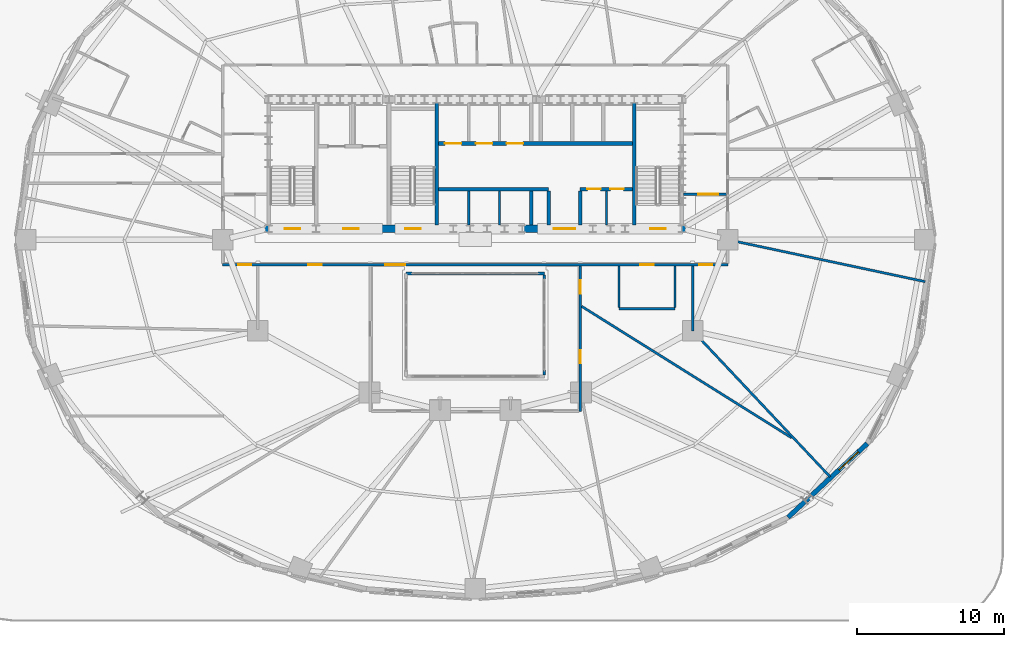
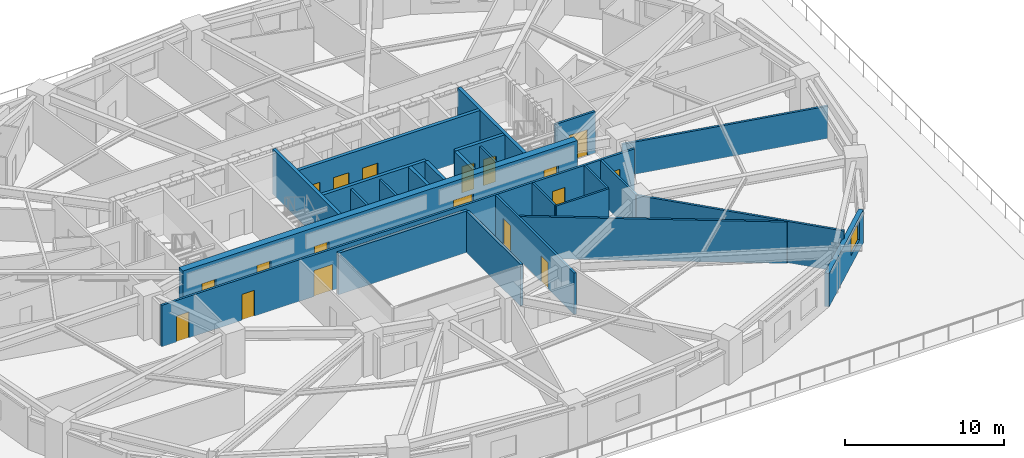
# One storey, part 9 of 18: 25 walls, 18 doors, 1 window, 19 openings.
"""IFC4 building model written with IfcOpenShell, lengths in metres."""

from ifc_helpers import new_model, si_unit, direction, frame, frame_2d, origin, place, context, subcontext, project, spatial, rectangle, extrude, material, layer, layer_set, type_object, element, fill, save


model = new_model("IFC4")

# Units and contexts
model_context = context("Model", 3, precision=1e-05, world=origin(), true_north=direction((0.0, 1.0)))
body_context = subcontext(model_context, "Body", "Model", "MODEL_VIEW")
ifc_project = project(units=[si_unit("LENGTHUNIT", "METRE"), si_unit("AREAUNIT", "SQUARE_METRE"), si_unit("VOLUMEUNIT", "CUBIC_METRE"), si_unit("PLANEANGLEUNIT", "RADIAN"), si_unit("MASSUNIT", "GRAM", prefix="KILO")], contexts=[model_context])

# Site, building, storey
site_placement = place(None, origin())
site = spatial("IfcSite", under=ifc_project, at=site_placement, CompositionType="ELEMENT")
building_placement = place(site_placement, origin())
building = spatial("IfcBuilding", under=site, at=building_placement, Name="Haldorwick Loom Tower", CompositionType="ELEMENT")
storey_placement = place(building_placement, frame((0.0, 0.0, 24.0)))
storey = spatial("IfcBuildingStorey", under=building, at=storey_placement, Name="L05", CompositionType="ELEMENT", Elevation=24.0)

# Wall, opening, window
ifc_material_1 = material(Name="Pressed Clay Face Brick and Insulated Masonry Backup Assembly", Category="masonry")
ifc_layer_1 = layer(ifc_material_1, 0.320068359375, Name="Pressed Clay Face Brick and Insulated Masonry Backup Assembly", Category="masonry")
ifc_layer_set_1 = layer_set([ifc_layer_1], Name="Pressed Clay Face Brick and Insulated Masonry Backup Assembly")
wall_type_1 = type_object("IfcWallType", Name="ARC-WL-EXT320", PredefinedType="STANDARD", material=ifc_layer_set_1)
wall_1_placement = place(storey_placement, frame((57.30419921875, 7.10400390625, 0.0), z_axis=(0.0, 0.0, 1.0), x_axis=(0.73176101237, 0.681561311091, 0.0)))
wall_1 = element("IfcWall", 1, at=wall_1_placement, inside=storey, type_object=wall_type_1, Name="L05 Brick Pier and Spandrel Wall 22", PredefinedType="STANDARD", context=body_context, shape_type="SweptSolid", body=[
    extrude(rectangle(XDim=7.3583984375, YDim=0.320068359375, at=frame_2d((3.67919921875, 0.0))), origin(), (0.0, 0.0, 1.0), 2.569091796875),
])
opening_1_placement = place(wall_1_placement, frame((4.736572265625, 0.0, 0.800048828125)))
opening_1 = element("IfcOpeningElement", 2, at=opening_1_placement, cuts=wall_1, Name="Opening W-01", PredefinedType="OPENING", context=body_context, shape_type="SweptSolid", body=[
    extrude(rectangle(XDim=1.800048828125, YDim=1.47998046875, at=frame_2d((0.89990234375, 0.739990234375))), frame((0.0, 0.169921875, 0.0), z_axis=(0.0, -1.0, 0.0), x_axis=(1.0, 0.0, 0.0)), (0.0, 0.0, 1.0), 0.340087890625),
])
ifc_material_2 = material(Name="Triple-Glazed Low-E Argon Insulated Glazing Unit", Category="glass")
window_type = type_object("IfcWindowType", Name="ARC-WIN-W180", PartitioningType="SINGLE_PANEL", PredefinedType="WINDOW", material=ifc_material_2)
window_placement = place(opening_1_placement, origin())
window = element("IfcWindow", 3, at=window_placement, inside=storey, type_object=window_type, Name="L05 Deep-Set Zone 7A Window 22", OverallHeight=1.47998046875, OverallWidth=1.800048828125, PartitioningType="SINGLE_PANEL", PredefinedType="WINDOW", context=body_context, shape_type="SweptSolid", body=[
    extrude(rectangle(XDim=1.800048828125, YDim=1.47998046875, at=frame_2d((0.89990234375, 0.739990234375))), frame((0.0, 0.030029296875, 0.0), z_axis=(0.0, -1.0, 0.0), x_axis=(1.0, 0.0, 0.0)), (0.0, 0.0, 1.0), 0.06005859375),
])
fill(opening_1, window)

# Wall, openings, doors
ifc_material_3 = material(Name="Fire-Rated Type X Gypsum Stud Assembly EI 60")
ifc_layer_2 = layer(ifc_material_3, 0.159912109375, Name="Fire-Rated Type X Gypsum Stud Assembly EI 60")
ifc_layer_set_2 = layer_set([ifc_layer_2], Name="Fire-Rated Type X Gypsum Stud Assembly EI 60")
wall_type_2 = type_object("IfcWallType", Name="ARC-WL-FIRE160", PredefinedType="PARTITIONING", material=ifc_layer_set_2)
wall_2_placement = place(storey_placement, frame((18.800048828125, 24.300048828125, 0.0), z_axis=(0.0, 0.0, 1.0), x_axis=(1.0, 0.0, 0.0)))
wall_2 = element("IfcWall", 4, at=wall_2_placement, inside=storey, type_object=wall_type_2, Name="L05 Residential Fire Partition L05-CR-SP", PredefinedType="PARTITIONING", context=body_context, shape_type="SweptSolid", body=[
    extrude(rectangle(XDim=34.39990234375, YDim=0.159912109375, at=frame_2d((17.199951171875, 0.0))), origin(), (0.0, 0.0, 1.0), 3.195068359375),
])
opening_2_placement = place(wall_2_placement, frame((11.085693359375, 0.0, 0.0)))
opening_2 = element("IfcOpeningElement", 5, at=opening_2_placement, cuts=wall_2, Name="Opening D-CR15", PredefinedType="OPENING", context=body_context, shape_type="SweptSolid", body=[
    extrude(rectangle(XDim=1.35009765625, YDim=2.0, at=frame_2d((0.675048828125, 1.0))), frame((0.0, 0.08984375, 0.0), z_axis=(0.0, -1.0, 0.0), x_axis=(1.0, 0.0, 0.0)), (0.0, 0.0, 1.0), 0.179931640625),
])
opening_3_placement = place(wall_2_placement, frame((5.834716796875, 0.0, 0.0)))
opening_3 = element("IfcOpeningElement", 6, at=opening_3_placement, cuts=wall_2, Name="Opening D-FD60A", PredefinedType="OPENING", context=body_context, shape_type="SweptSolid", body=[
    extrude(rectangle(XDim=0.89990234375, YDim=2.0, at=frame_2d((0.449951171875, 1.0))), frame((0.0, 0.08984375, 0.0), z_axis=(0.0, -1.0, 0.0), x_axis=(1.0, 0.0, 0.0)), (0.0, 0.0, 1.0), 0.179931640625),
])
opening_4_placement = place(wall_2_placement, frame((28.437255859375, 0.0, 0.0)))
opening_4 = element("IfcOpeningElement", 7, at=opening_4_placement, cuts=wall_2, Name="Opening D-FD60A", PredefinedType="OPENING", context=body_context, shape_type="SweptSolid", body=[
    extrude(rectangle(XDim=0.89990234375, YDim=2.0, at=frame_2d((0.449951171875, 1.0))), frame((0.0, 0.08984375, 0.0), z_axis=(0.0, -1.0, 0.0), x_axis=(1.0, 0.0, 0.0)), (0.0, 0.0, 1.0), 0.179931640625),
])
opening_5_placement = place(wall_2_placement, frame((1.063232421875, 0.0, 0.0)))
opening_5 = element("IfcOpeningElement", 8, at=opening_5_placement, cuts=wall_2, Name="Opening D-FD60A", PredefinedType="OPENING", context=body_context, shape_type="SweptSolid", body=[
    extrude(rectangle(XDim=0.89990234375, YDim=2.0, at=frame_2d((0.449951171875, 1.0))), frame((0.0, 0.08984375, 0.0), z_axis=(0.0, -1.0, 0.0), x_axis=(1.0, 0.0, 0.0)), (0.0, 0.0, 1.0), 0.179931640625),
])
opening_6_placement = place(wall_2_placement, frame((32.436767578125, 0.0, 0.0)))
opening_6 = element("IfcOpeningElement", 9, at=opening_6_placement, cuts=wall_2, Name="Opening D-FD60A", PredefinedType="OPENING", context=body_context, shape_type="SweptSolid", body=[
    extrude(rectangle(XDim=0.89990234375, YDim=2.0, at=frame_2d((0.449951171875, 1.0))), frame((0.0, 0.08984375, 0.0), z_axis=(0.0, -1.0, 0.0), x_axis=(1.0, 0.0, 0.0)), (0.0, 0.0, 1.0), 0.179931640625),
])
ifc_material_4 = material(Name="Thermally Broken Anodized Aluminium and Tempered Glass", Category="aluminium")
door_type_1 = type_object("IfcDoorType", Name="ARC-DR-COR150", OperationType="NOTDEFINED", PredefinedType="DOOR", material=ifc_material_4)
door_1_placement = place(opening_2_placement, origin())
door_1 = element("IfcDoor", 10, at=door_1_placement, inside=storey, type_object=door_type_1, Name="L05 L05 Central Residential Corridor to L05 South Atrium Corridor Door", OperationType="DOUBLE_DOOR_SINGLE_SWING", OverallHeight=2.0, OverallWidth=1.35009765625, PredefinedType="DOOR", context=body_context, shape_type="SweptSolid", body=[
    extrude(rectangle(XDim=1.35009765625, YDim=2.0, at=frame_2d((0.675048828125, 1.0))), frame((0.0, 0.02490234375, 0.0), z_axis=(0.0, -1.0, 0.0), x_axis=(1.0, 0.0, 0.0)), (0.0, 0.0, 1.0), 0.050048828125),
])
fill(opening_2, door_1)
ifc_material_5 = material(Name="Hollow Steel Fire Door Assembly", Category="steel")
door_type_2 = type_object("IfcDoorType", Name="ARC-DR-FD60-90", OperationType="NOTDEFINED", PredefinedType="DOOR", material=ifc_material_5)
door_2_placement = place(opening_3_placement, origin())
door_2 = element("IfcDoor", 11, at=door_2_placement, inside=storey, type_object=door_type_2, Name="L05 L05 Central Residential Corridor to Community Library Hall 5 Door", OperationType="SINGLE_SWING_LEFT", OverallHeight=2.0, OverallWidth=0.89990234375, PredefinedType="DOOR", context=body_context, shape_type="SweptSolid", body=[
    extrude(rectangle(XDim=0.89990234375, YDim=2.0, at=frame_2d((0.449951171875, 1.0))), frame((0.0, 0.02490234375, 0.0), z_axis=(0.0, -1.0, 0.0), x_axis=(1.0, 0.0, 0.0)), (0.0, 0.0, 1.0), 0.050048828125),
])
fill(opening_3, door_2)
door_3_placement = place(opening_4_placement, origin())
door_3 = element("IfcDoor", 12, at=door_3_placement, inside=storey, type_object=door_type_2, Name="L05 L05 Central Residential Corridor to Common Accessible WC Door", OperationType="SINGLE_SWING_RIGHT", OverallHeight=2.0, OverallWidth=0.89990234375, PredefinedType="DOOR", context=body_context, shape_type="SweptSolid", body=[
    extrude(rectangle(XDim=0.89990234375, YDim=2.0, at=frame_2d((0.449951171875, 1.0))), frame((0.0, 0.02490234375, 0.0), z_axis=(0.0, -1.0, 0.0), x_axis=(1.0, 0.0, 0.0)), (0.0, 0.0, 1.0), 0.050048828125),
])
fill(opening_4, door_3)
door_4_placement = place(opening_5_placement, origin())
door_4 = element("IfcDoor", 13, at=door_4_placement, inside=storey, type_object=door_type_2, Name="L05 L05 Central Residential Corridor to Community Library Hall 4 Door", OperationType="SINGLE_SWING_LEFT", OverallHeight=2.0, OverallWidth=0.89990234375, PredefinedType="DOOR", context=body_context, shape_type="SweptSolid", body=[
    extrude(rectangle(XDim=0.89990234375, YDim=2.0, at=frame_2d((0.449951171875, 1.0))), frame((0.0, 0.02490234375, 0.0), z_axis=(0.0, -1.0, 0.0), x_axis=(1.0, 0.0, 0.0)), (0.0, 0.0, 1.0), 0.050048828125),
])
fill(opening_5, door_4)
door_5_placement = place(opening_6_placement, origin())
door_5 = element("IfcDoor", 14, at=door_5_placement, inside=storey, type_object=door_type_2, Name="L05 L05 Central Residential Corridor to Community Library Hall 6 Door", OperationType="SINGLE_SWING_RIGHT", OverallHeight=2.0, OverallWidth=0.89990234375, PredefinedType="DOOR", context=body_context, shape_type="SweptSolid", body=[
    extrude(rectangle(XDim=0.89990234375, YDim=2.0, at=frame_2d((0.449951171875, 1.0))), frame((0.0, 0.02490234375, 0.0), z_axis=(0.0, -1.0, 0.0), x_axis=(1.0, 0.0, 0.0)), (0.0, 0.0, 1.0), 0.050048828125),
])
fill(opening_6, door_5)

# Wall, opening, door
wall_3_placement = place(storey_placement, frame((50.193115234375, 29.10009765625, 0.0), z_axis=(0.0, 0.0, 1.0), x_axis=(1.0, 0.0, 0.0)))
wall_3 = element("IfcWall", 15, at=wall_3_placement, inside=storey, type_object=wall_type_2, Name="L05 Residential Fire Partition L05-CR-ESJ", PredefinedType="PARTITIONING", context=body_context, shape_type="SweptSolid", body=[
    extrude(rectangle(XDim=2.923828125, YDim=0.159912109375, at=frame_2d((1.4619140625, 0.0))), origin(), (0.0, 0.0, 1.0), 3.195068359375),
])
opening_7_placement = place(wall_3_placement, frame((0.99560546875, 0.0, 0.0)))
opening_7 = element("IfcOpeningElement", 16, at=opening_7_placement, cuts=wall_3, Name="Opening D-CR15", PredefinedType="OPENING", context=body_context, shape_type="SweptSolid", body=[
    extrude(rectangle(XDim=1.35009765625, YDim=2.0, at=frame_2d((0.675048828125, 1.0))), frame((0.0, 0.08984375, 0.0), z_axis=(0.0, -1.0, 0.0), x_axis=(1.0, 0.0, 0.0)), (0.0, 0.0, 1.0), 0.179931640625),
])
door_6_placement = place(opening_7_placement, origin())
door_6 = element("IfcDoor", 17, at=door_6_placement, inside=storey, type_object=door_type_1, Name="L05 L05 East Residential Corridor to L05 Central Residential Corridor Do", OperationType="DOUBLE_DOOR_SINGLE_SWING", OverallHeight=2.0, OverallWidth=1.35009765625, PredefinedType="DOOR", context=body_context, shape_type="SweptSolid", body=[
    extrude(rectangle(XDim=1.35009765625, YDim=2.0, at=frame_2d((0.675048828125, 1.0))), frame((0.0, 0.02490234375, 0.0), z_axis=(0.0, -1.0, 0.0), x_axis=(1.0, 0.0, 0.0)), (0.0, 0.0, 1.0), 0.050048828125),
])
fill(opening_7, door_6)

# Wall, openings, doors
wall_4_placement = place(storey_placement, frame((43.14990234375, 14.300048828125, 0.0), z_axis=(0.0, 0.0, 1.0), x_axis=(0.0, 1.0, 0.0)))
wall_4 = element("IfcWall", 18, at=wall_4_placement, inside=storey, type_object=wall_type_2, Name="L05 Residential Fire Partition L05-CR-AE", PredefinedType="PARTITIONING", context=body_context, shape_type="SweptSolid", body=[
    extrude(rectangle(XDim=9.9169921875, YDim=0.159912109375, at=frame_2d((4.95849609375, 0.0))), origin(), (0.0, 0.0, 1.0), 3.195068359375),
])
opening_8_placement = place(wall_4_placement, frame((3.285888671875, 0.0, 0.0)))
opening_8 = element("IfcOpeningElement", 19, at=opening_8_placement, cuts=wall_4, Name="Opening D-FD60A", PredefinedType="OPENING", context=body_context, shape_type="SweptSolid", body=[
    extrude(rectangle(XDim=0.89990234375, YDim=2.0, at=frame_2d((0.449951171875, 1.0))), frame((0.0, 0.08984375, 0.0), z_axis=(0.0, -1.0, 0.0), x_axis=(1.0, 0.0, 0.0)), (0.0, 0.0, 1.0), 0.179931640625),
])
opening_9_placement = place(wall_4_placement, frame((8.034423828125, 0.0, 0.0)))
opening_9 = element("IfcOpeningElement", 20, at=opening_9_placement, cuts=wall_4, Name="Opening D-FD60A", PredefinedType="OPENING", context=body_context, shape_type="SweptSolid", body=[
    extrude(rectangle(XDim=0.89990234375, YDim=2.0, at=frame_2d((0.449951171875, 1.0))), frame((0.0, 0.08984375, 0.0), z_axis=(0.0, -1.0, 0.0), x_axis=(1.0, 0.0, 0.0)), (0.0, 0.0, 1.0), 0.179931640625),
])
door_7_placement = place(opening_8_placement, origin())
door_7 = element("IfcDoor", 21, at=door_7_placement, inside=storey, type_object=door_type_2, Name="L05 L05 South Atrium Corridor to Community Library Hall 16 Door", OperationType="SINGLE_SWING_RIGHT", OverallHeight=2.0, OverallWidth=0.89990234375, PredefinedType="DOOR", context=body_context, shape_type="SweptSolid", body=[
    extrude(rectangle(XDim=0.89990234375, YDim=2.0, at=frame_2d((0.449951171875, 1.0))), frame((0.0, 0.02490234375, 0.0), z_axis=(0.0, -1.0, 0.0), x_axis=(1.0, 0.0, 0.0)), (0.0, 0.0, 1.0), 0.050048828125),
])
fill(opening_8, door_7)
door_8_placement = place(opening_9_placement, origin())
door_8 = element("IfcDoor", 22, at=door_8_placement, inside=storey, type_object=door_type_2, Name="L05 L05 South Atrium Corridor to Resident Work Office 1 Door", OperationType="SINGLE_SWING_RIGHT", OverallHeight=2.0, OverallWidth=0.89990234375, PredefinedType="DOOR", context=body_context, shape_type="SweptSolid", body=[
    extrude(rectangle(XDim=0.89990234375, YDim=2.0, at=frame_2d((0.449951171875, 1.0))), frame((0.0, 0.02490234375, 0.0), z_axis=(0.0, -1.0, 0.0), x_axis=(1.0, 0.0, 0.0)), (0.0, 0.0, 1.0), 0.050048828125),
])
fill(opening_9, door_8)

# Walls
wall_5_placement = place(storey_placement, frame((53.282958984375, 25.982421875, 0.0), z_axis=(0.0, 0.0, 1.0), x_axis=(0.978148122559, -0.207909235807, 0.0)))
element("IfcWall", 23, at=wall_5_placement, inside=storey, type_object=wall_type_2, Name="L05 Residential Fire Partition L05-ICR-01", PredefinedType="PARTITIONING", context=body_context, shape_type="SweptSolid", body=[
    extrude(rectangle(XDim=13.65087890625, YDim=0.159912109375, at=frame_2d((6.825439453125, 0.0))), origin(), (0.0, 0.0, 1.0), 2.489990234375),
])
wall_6_placement = place(storey_placement, frame((50.800048828125, 19.800048828125, 0.0), z_axis=(0.0, 0.0, 1.0), x_axis=(0.685442751541, -0.728126523593, 0.0)))
element("IfcWall", 24, at=wall_6_placement, inside=storey, type_object=wall_type_2, Name="L05 Residential Fire Partition L05-ICR-03", PredefinedType="PARTITIONING", context=body_context, shape_type="SweptSolid", body=[
    extrude(rectangle(XDim=13.65869140625, YDim=0.159912109375, at=frame_2d((6.829345703125, 0.0))), origin(), (0.0, 0.0, 1.0), 3.195068359375),
])
wall_7_placement = place(storey_placement, frame((50.800048828125, 24.217041015625, 0.0), z_axis=(0.0, 0.0, 1.0), x_axis=(0.0, -1.0, 0.0)))
element("IfcWall", 25, at=wall_7_placement, inside=storey, type_object=wall_type_2, Name="L05 Residential Fire Partition L05-ICA-02", PredefinedType="PARTITIONING", context=body_context, shape_type="SweptSolid", body=[
    extrude(rectangle(XDim=4.4169921875, YDim=0.159912109375, at=frame_2d((2.20849609375, 0.0))), origin(), (0.0, 0.0, 1.0), 3.195068359375),
])
wall_8_placement = place(storey_placement, frame((43.23291015625, 21.4716796875, 0.0), z_axis=(0.0, 0.0, 1.0), x_axis=(0.847603429746, -0.530630215764, 0.0)))
element("IfcWall", 26, at=wall_8_placement, inside=storey, type_object=wall_type_2, Name="L05 Suite Split Wall", PredefinedType="PARTITIONING", context=body_context, shape_type="SweptSolid", body=[
    extrude(rectangle(XDim=16.89111328125, YDim=0.159912109375, at=frame_2d((8.445556640625, 0.0))), origin(), (0.0, 0.0, 1.0), 3.195068359375),
])
ifc_material_6 = material(Name="Fire-Rated Type X Gypsum Stud Assembly EI 120")
ifc_layer_3 = layer(ifc_material_6, 0.199951171875, Name="Fire-Rated Type X Gypsum Stud Assembly EI 120")
ifc_layer_set_3 = layer_set([ifc_layer_3], Name="Fire-Rated Type X Gypsum Stud Assembly EI 120")
wall_type_3 = type_object("IfcWallType", Name="ARC-WL-FIRE200", PredefinedType="PARTITIONING", material=ifc_layer_set_3)
wall_9_placement = place(storey_placement, frame((31.300048828125, 23.699951171875, 0.0), z_axis=(0.0, 0.0, 1.0), x_axis=(1.0, 0.0, 0.0)))
element("IfcWall", 27, at=wall_9_placement, inside=storey, type_object=wall_type_3, Name="L05 Atrium Fire Enclosure Wall N", PredefinedType="PARTITIONING", context=body_context, shape_type="SweptSolid", body=[
    extrude(rectangle(XDim=9.39990234375, YDim=0.199951171875, at=frame_2d((4.699951171875, 0.0))), origin(), (0.0, 0.0, 1.0), 3.195068359375),
])
wall_10_placement = place(storey_placement, frame((40.699951171875, 23.596923828125, 0.0), z_axis=(0.0, 0.0, 1.0), x_axis=(0.0, -1.0, 0.0)))
element("IfcWall", 28, at=wall_10_placement, inside=storey, type_object=wall_type_3, Name="L05 Atrium Fire Enclosure Wall E", PredefinedType="PARTITIONING", context=body_context, shape_type="SweptSolid", body=[
    extrude(rectangle(XDim=6.7939453125, YDim=0.199951171875, at=frame_2d((3.39697265625, 0.0))), origin(), (0.0, 0.0, 1.0), 3.195068359375),
])
ifc_layer_4 = layer(ifc_material_3, 0.139892578125, Name="Fire-Rated Type X Gypsum Stud Assembly EI 60")
ifc_layer_set_4 = layer_set([ifc_layer_4], Name="Fire-Rated Type X Gypsum Stud Assembly EI 60")
wall_type_4 = type_object("IfcWallType", Name="ARC-WL-PART140", PredefinedType="PARTITIONING", material=ifc_layer_set_4)
wall_11_placement = place(storey_placement, frame((44.949951171875, 27.0029296875, 0.0), z_axis=(0.0, 0.0, 1.0), x_axis=(0.0, 1.0, 0.0)))
element("IfcWall", 29, at=wall_11_placement, inside=storey, type_object=wall_type_4, Name="L05 Service Partition", PredefinedType="PARTITIONING", context=body_context, shape_type="SweptSolid", body=[
    extrude(rectangle(XDim=2.323974609375, YDim=0.139892578125, at=frame_2d((1.162109375, 0.0))), origin(), (0.0, 0.0, 1.0), 3.195068359375),
])
wall_12_placement = place(storey_placement, frame((45.800048828125, 21.300048828125, 0.0), z_axis=(0.0, 0.0, 1.0), x_axis=(1.0, 0.0, 0.0)))
element("IfcWall", 30, at=wall_12_placement, inside=storey, type_object=wall_type_4, Name="L05 Residential Fire Partition L05-CWC-S", PredefinedType="PARTITIONING", context=body_context, shape_type="SweptSolid", body=[
    extrude(rectangle(XDim=3.800048828125, YDim=0.139892578125, at=frame_2d((1.89990234375, 0.0))), origin(), (0.0, 0.0, 1.0), 3.195068359375),
])
for number, where, z_axis, x_axis, name in (
    (31, (45.800048828125, 21.373046875, 0.0), (0.0, 0.0, 1.0), (0.0, 1.0, 0.0), "L05 Residential Fire Partition L05-CWC-W"),
    (32, (49.60009765625, 21.373046875, 0.0), (0.0, 0.0, 1.0), (0.0, 1.0, 0.0), "L05 Residential Fire Partition L05-CWC-E"),
):
    element("IfcWall", number, at=place(storey_placement, frame(where, z_axis=z_axis, x_axis=x_axis)), inside=storey, type_object=wall_type_4, Name=name, PredefinedType="PARTITIONING", context=body_context, shape_type="SweptSolid", body=[
        extrude(rectangle(XDim=2.843994140625, YDim=0.139892578125, at=frame_2d((1.421875, 0.0))), origin(), (0.0, 0.0, 1.0), 3.195068359375),
    ])
ifc_layer_5 = layer(ifc_material_6, 0.1650390625, Name="Fire-Rated Type X Gypsum Stud Assembly EI 120")
ifc_layer_set_5 = layer_set([ifc_layer_5], Name="Fire-Rated Type X Gypsum Stud Assembly EI 120")
wall_type_5 = type_object("IfcWallType", Name="ARC-WL-SHAFT160", PredefinedType="MOVABLE", material=ifc_layer_set_5)
for number, where, z_axis, x_axis, name in (
    (33, (35.550048828125, 27.0029296875, 0.0), (0.0, 0.0, 1.0), (0.0, 1.0, 0.0), "L05 Mid-Rise Hoistway Divider 1"),
    (34, (37.64990234375, 27.0029296875, 0.0), (0.0, 0.0, 1.0), (0.0, 1.0, 0.0), "L05 Mid-Rise Hoistway Divider 2"),
):
    element("IfcWall", number, at=place(storey_placement, frame(where, z_axis=z_axis, x_axis=x_axis)), inside=storey, type_object=wall_type_5, Name=name, PredefinedType="MOVABLE", context=body_context, shape_type="SweptSolid", body=[
        extrude(rectangle(XDim=2.323974609375, YDim=0.159912109375, at=frame_2d((1.162109375, 0.0))), origin(), (0.0, 0.0, 1.0), 3.195068359375),
    ])

# Wall, openings, doors
ifc_material_7 = material(Name="Concrete C60 (60 MPa)", Category="concrete")
ifc_layer_6 = layer(ifc_material_7, 0.5, Name="Concrete C60 (60 MPa)", Category="concrete")
ifc_layer_set_6 = layer_set([ifc_layer_6], Name="Concrete C60 (60 MPa)")
wall_type_6 = type_object("IfcWallType", Name="STR-WL-CORE500", PredefinedType="SHEAR", material=ifc_layer_set_6)
wall_13_placement = place(storey_placement, frame((21.64990234375, 26.75, 0.0), z_axis=(0.0, 0.0, 1.0), x_axis=(1.0, 0.0, 0.0)))
wall_13 = element("IfcWall", 35, at=wall_13_placement, inside=storey, type_object=wall_type_6, Name="L05 Core Shear Wall S", PredefinedType="SHEAR", context=body_context, shape_type="SweptSolid", body=[
    extrude(rectangle(XDim=28.7001953125, YDim=0.5, at=frame_2d((14.35009765625, 0.0))), origin(), (0.0, 0.0, 1.0), 3.449951171875),
])
opening_10_placement = place(wall_13_placement, frame((1.375, 0.0, 0.0)))
opening_10 = element("IfcOpeningElement", 36, at=opening_10_placement, cuts=wall_13, Name="Opening D-FD60", PredefinedType="OPENING", context=body_context, shape_type="SweptSolid", body=[
    extrude(rectangle(XDim=1.050048828125, YDim=2.0, at=frame_2d((0.52490234375, 1.0))), frame((0.0, 0.260009765625, 0.0), z_axis=(0.0, -1.0, 0.0), x_axis=(1.0, 0.0, 0.0)), (0.0, 0.0, 1.0), 0.52001953125),
])
opening_11_placement = place(wall_13_placement, frame((5.375, 0.0, 0.0)))
opening_11 = element("IfcOpeningElement", 37, at=opening_11_placement, cuts=wall_13, Name="Opening D-FD60", PredefinedType="OPENING", context=body_context, shape_type="SweptSolid", body=[
    extrude(rectangle(XDim=1.050048828125, YDim=2.0, at=frame_2d((0.52490234375, 1.0))), frame((0.0, 0.260009765625, 0.0), z_axis=(0.0, -1.0, 0.0), x_axis=(1.0, 0.0, 0.0)), (0.0, 0.0, 1.0), 0.52001953125),
])
opening_12_placement = place(wall_13_placement, frame((9.574951171875, 0.0, 0.0)))
opening_12 = element("IfcOpeningElement", 38, at=opening_12_placement, cuts=wall_13, Name="Opening D-FD60", PredefinedType="OPENING", context=body_context, shape_type="SweptSolid", body=[
    extrude(rectangle(XDim=1.050048828125, YDim=2.0, at=frame_2d((0.52490234375, 1.0))), frame((0.0, 0.260009765625, 0.0), z_axis=(0.0, -1.0, 0.0), x_axis=(1.0, 0.0, 0.0)), (0.0, 0.0, 1.0), 0.52001953125),
])
opening_13_placement = place(wall_13_placement, frame((19.705078125, 0.0, 0.0)))
opening_13 = element("IfcOpeningElement", 39, at=opening_13_placement, cuts=wall_13, Name="Opening D-LB15", PredefinedType="OPENING", context=body_context, shape_type="SweptSolid", body=[
    extrude(rectangle(XDim=1.449951171875, YDim=2.0, at=frame_2d((0.72509765625, 1.0))), frame((0.0, 0.260009765625, 0.0), z_axis=(0.0, -1.0, 0.0), x_axis=(1.0, 0.0, 0.0)), (0.0, 0.0, 1.0), 0.52001953125),
])
opening_14_placement = place(wall_13_placement, frame((26.27490234375, 0.0, 0.0)))
opening_14 = element("IfcOpeningElement", 40, at=opening_14_placement, cuts=wall_13, Name="Opening D-FD60", PredefinedType="OPENING", context=body_context, shape_type="SweptSolid", body=[
    extrude(rectangle(XDim=1.050048828125, YDim=2.0, at=frame_2d((0.52490234375, 1.0))), frame((0.0, 0.260009765625, 0.0), z_axis=(0.0, -1.0, 0.0), x_axis=(1.0, 0.0, 0.0)), (0.0, 0.0, 1.0), 0.52001953125),
])
door_type_3 = type_object("IfcDoorType", Name="ARC-DR-FD60", OperationType="NOTDEFINED", PredefinedType="DOOR", material=ifc_material_5)
door_9_placement = place(opening_10_placement, origin())
door_9 = element("IfcDoor", 41, at=door_9_placement, inside=storey, type_object=door_type_3, Name="L05 Exit Stair ST-01 Fire Door", OperationType="SINGLE_SWING_LEFT", OverallHeight=2.0, OverallWidth=1.050048828125, PredefinedType="DOOR", context=body_context, shape_type="SweptSolid", body=[
    extrude(rectangle(XDim=1.050048828125, YDim=2.0, at=frame_2d((0.52490234375, 1.0))), frame((0.0, 0.02490234375, 0.0), z_axis=(0.0, -1.0, 0.0), x_axis=(1.0, 0.0, 0.0)), (0.0, 0.0, 1.0), 0.050048828125),
])
fill(opening_10, door_9)
door_10_placement = place(opening_11_placement, origin())
door_10 = element("IfcDoor", 42, at=door_10_placement, inside=storey, type_object=door_type_3, Name="L05 Firefighting Lift Lobby Fire Door", OperationType="SINGLE_SWING_RIGHT", OverallHeight=2.0, OverallWidth=1.050048828125, PredefinedType="DOOR", context=body_context, shape_type="SweptSolid", body=[
    extrude(rectangle(XDim=1.050048828125, YDim=2.0, at=frame_2d((0.52490234375, 1.0))), frame((0.0, 0.02490234375, 0.0), z_axis=(0.0, -1.0, 0.0), x_axis=(1.0, 0.0, 0.0)), (0.0, 0.0, 1.0), 0.050048828125),
])
fill(opening_11, door_10)
door_11_placement = place(opening_12_placement, origin())
door_11 = element("IfcDoor", 43, at=door_11_placement, inside=storey, type_object=door_type_3, Name="L05 Exit Stair ST-03 Fire Door", OperationType="SINGLE_SWING_LEFT", OverallHeight=2.0, OverallWidth=1.050048828125, PredefinedType="DOOR", context=body_context, shape_type="SweptSolid", body=[
    extrude(rectangle(XDim=1.050048828125, YDim=2.0, at=frame_2d((0.52490234375, 1.0))), frame((0.0, 0.02490234375, 0.0), z_axis=(0.0, -1.0, 0.0), x_axis=(1.0, 0.0, 0.0)), (0.0, 0.0, 1.0), 0.050048828125),
])
fill(opening_12, door_11)
door_12_placement = place(opening_14_placement, origin())
door_12 = element("IfcDoor", 44, at=door_12_placement, inside=storey, type_object=door_type_3, Name="L05 Exit Stair ST-02 Fire Door", OperationType="SINGLE_SWING_LEFT", OverallHeight=2.0, OverallWidth=1.050048828125, PredefinedType="DOOR", context=body_context, shape_type="SweptSolid", body=[
    extrude(rectangle(XDim=1.050048828125, YDim=2.0, at=frame_2d((0.52490234375, 1.0))), frame((0.0, 0.02490234375, 0.0), z_axis=(0.0, -1.0, 0.0), x_axis=(1.0, 0.0, 0.0)), (0.0, 0.0, 1.0), 0.050048828125),
])
fill(opening_14, door_12)
door_type_4 = type_object("IfcDoorType", Name="ARC-DR-LOB150", OperationType="NOTDEFINED", PredefinedType="DOOR", material=ifc_material_4)
door_13_placement = place(opening_13_placement, frame((1.449951171875, 0.0, 0.0), z_axis=(0.0, 0.0, 1.0), x_axis=(-1.0, 0.0, 0.0)))
door_13 = element("IfcDoor", 45, at=door_13_placement, inside=storey, type_object=door_type_4, Name="L05 Passenger Lift Lobby Fire Door", OperationType="DOUBLE_DOOR_SINGLE_SWING", OverallHeight=2.0, OverallWidth=1.449951171875, PredefinedType="DOOR", context=body_context, shape_type="SweptSolid", body=[
    extrude(rectangle(XDim=1.449951171875, YDim=2.0, at=frame_2d((0.72509765625, 1.0))), frame((0.0, 0.02490234375, 0.0), z_axis=(0.0, -1.0, 0.0), x_axis=(1.0, 0.0, 0.0)), (0.0, 0.0, 1.0), 0.050048828125),
])
fill(opening_13, door_13)

# Walls
ifc_material_8 = material(Name="Concrete C50 (50 MPa)", Category="concrete")
ifc_layer_7 = layer(ifc_material_8, 0.239990234375, Name="Concrete C50 (50 MPa)", Category="concrete")
ifc_layer_set_7 = layer_set([ifc_layer_7], Name="Concrete C50 (50 MPa)")
wall_type_7 = type_object("IfcWallType", Name="STR-WL-SHAFT240", PredefinedType="SHEAR", material=ifc_layer_set_7)
for number, where, z_axis, x_axis, name in (
    (46, (33.3701171875, 27.0029296875, 0.0), (0.0, 0.0, 1.0), (0.0, 1.0, 0.0), "L05 Core Shear Wall 3"),
    (47, (46.830078125, 27.0029296875, 0.0), (0.0, 0.0, 1.0), (0.0, 1.0, 0.0), "L05 Core Shear Wall 4"),
):
    element("IfcWall", number, at=place(storey_placement, frame(where, z_axis=z_axis, x_axis=x_axis)), inside=storey, type_object=wall_type_7, Name=name, PredefinedType="SHEAR", context=body_context, shape_type="SweptSolid", body=[
        extrude(rectangle(XDim=8.294189453125, YDim=0.239990234375, at=frame_2d((4.14697265625, 0.0))), origin(), (0.0, 0.0, 1.0), 3.449951171875),
    ])

# Wall, openings, doors
wall_14_placement = place(storey_placement, frame((33.492919921875, 32.550048828125, 0.0), z_axis=(0.0, 0.0, 1.0), x_axis=(1.0, 0.0, 0.0)))
wall_14 = element("IfcWall", 48, at=wall_14_placement, inside=storey, type_object=wall_type_7, Name="L05 Core Shear Wall LN", PredefinedType="SHEAR", context=body_context, shape_type="SweptSolid", body=[
    extrude(rectangle(XDim=13.214111328125, YDim=0.239990234375, at=frame_2d((6.60693359375, 0.0))), origin(), (0.0, 0.0, 1.0), 3.449951171875),
])
opening_15_placement = place(wall_14_placement, frame((0.447021484375, 0.0, 0.0)))
opening_15 = element("IfcOpeningElement", 49, at=opening_15_placement, cuts=wall_14, Name="Opening LD-L1", PredefinedType="OPENING", context=body_context, shape_type="SweptSolid", body=[
    extrude(rectangle(XDim=1.1201171875, YDim=2.0, at=frame_2d((0.56005859375, 1.0))), frame((0.0, 0.1298828125, 0.0), z_axis=(0.0, -1.0, 0.0), x_axis=(1.0, 0.0, 0.0)), (0.0, 0.0, 1.0), 0.260009765625),
])
opening_16_placement = place(wall_14_placement, frame((2.547119140625, 0.0, 0.0)))
opening_16 = element("IfcOpeningElement", 50, at=opening_16_placement, cuts=wall_14, Name="Opening LD-L2", PredefinedType="OPENING", context=body_context, shape_type="SweptSolid", body=[
    extrude(rectangle(XDim=1.1201171875, YDim=2.0, at=frame_2d((0.56005859375, 1.0))), frame((0.0, 0.1298828125, 0.0), z_axis=(0.0, -1.0, 0.0), x_axis=(1.0, 0.0, 0.0)), (0.0, 0.0, 1.0), 0.260009765625),
])
opening_17_placement = place(wall_14_placement, frame((4.64697265625, 0.0, 0.0)))
opening_17 = element("IfcOpeningElement", 51, at=opening_17_placement, cuts=wall_14, Name="Opening LD-L3", PredefinedType="OPENING", context=body_context, shape_type="SweptSolid", body=[
    extrude(rectangle(XDim=1.1201171875, YDim=2.0, at=frame_2d((0.56005859375, 1.0))), frame((0.0, 0.1298828125, 0.0), z_axis=(0.0, -1.0, 0.0), x_axis=(1.0, 0.0, 0.0)), (0.0, 0.0, 1.0), 0.260009765625),
])
door_type_5 = type_object("IfcDoorType", Name="ARC-DR-LD-PAX", OperationType="NOTDEFINED", PredefinedType="USERDEFINED", material=ifc_material_5)
door_14_placement = place(opening_15_placement, origin())
door_14 = element("IfcDoor", 52, at=door_14_placement, inside=storey, type_object=door_type_5, Name="L05 Lift LF-L1 Sliding Landing Door", ObjectType="LANDING DOOR", OperationType="DOUBLE_DOOR_SLIDING", OverallHeight=2.0, OverallWidth=1.1201171875, PredefinedType="USERDEFINED", context=body_context, shape_type="SweptSolid", body=[
    extrude(rectangle(XDim=1.1201171875, YDim=2.0, at=frame_2d((0.56005859375, 1.0))), frame((0.0, 0.02490234375, 0.0), z_axis=(0.0, -1.0, 0.0), x_axis=(1.0, 0.0, 0.0)), (0.0, 0.0, 1.0), 0.050048828125),
])
fill(opening_15, door_14)
door_15_placement = place(opening_16_placement, origin())
door_15 = element("IfcDoor", 53, at=door_15_placement, inside=storey, type_object=door_type_5, Name="L05 Lift LF-L2 Sliding Landing Door", ObjectType="LANDING DOOR", OperationType="DOUBLE_DOOR_SLIDING", OverallHeight=2.0, OverallWidth=1.1201171875, PredefinedType="USERDEFINED", context=body_context, shape_type="SweptSolid", body=[
    extrude(rectangle(XDim=1.1201171875, YDim=2.0, at=frame_2d((0.56005859375, 1.0))), frame((0.0, 0.02490234375, 0.0), z_axis=(0.0, -1.0, 0.0), x_axis=(1.0, 0.0, 0.0)), (0.0, 0.0, 1.0), 0.050048828125),
])
fill(opening_16, door_15)
door_16_placement = place(opening_17_placement, origin())
door_16 = element("IfcDoor", 54, at=door_16_placement, inside=storey, type_object=door_type_5, Name="L05 Lift LF-L3 Sliding Landing Door", ObjectType="LANDING DOOR", OperationType="DOUBLE_DOOR_SLIDING", OverallHeight=2.0, OverallWidth=1.1201171875, PredefinedType="USERDEFINED", context=body_context, shape_type="SweptSolid", body=[
    extrude(rectangle(XDim=1.1201171875, YDim=2.0, at=frame_2d((0.56005859375, 1.0))), frame((0.0, 0.02490234375, 0.0), z_axis=(0.0, -1.0, 0.0), x_axis=(1.0, 0.0, 0.0)), (0.0, 0.0, 1.0), 0.050048828125),
])
fill(opening_17, door_16)

# Wall
wall_15_placement = place(storey_placement, frame((33.492919921875, 29.449951171875, 0.0), z_axis=(0.0, 0.0, 1.0), x_axis=(1.0, 0.0, 0.0)))
element("IfcWall", 55, at=wall_15_placement, inside=storey, type_object=wall_type_7, Name="L05 Core Shear Wall LS1", PredefinedType="SHEAR", context=body_context, shape_type="SweptSolid", body=[
    extrude(rectangle(XDim=7.507080078125, YDim=0.239990234375, at=frame_2d((3.75341796875, 0.0))), origin(), (0.0, 0.0, 1.0), 3.449951171875),
])

# Wall, openings, doors
wall_16_placement = place(storey_placement, frame((43.14990234375, 29.449951171875, 0.0), z_axis=(0.0, 0.0, 1.0), x_axis=(1.0, 0.0, 0.0)))
wall_16 = element("IfcWall", 56, at=wall_16_placement, inside=storey, type_object=wall_type_7, Name="L05 Core Shear Wall LS2", PredefinedType="SHEAR", context=body_context, shape_type="SweptSolid", body=[
    extrude(rectangle(XDim=3.55712890625, YDim=0.239990234375, at=frame_2d((1.778564453125, 0.0))), origin(), (0.0, 0.0, 1.0), 3.449951171875),
])
opening_18_placement = place(wall_16_placement, frame((0.47998046875, 0.0, 0.0)))
opening_18 = element("IfcOpeningElement", 57, at=opening_18_placement, cuts=wall_16, Name="Opening D-FD60A", PredefinedType="OPENING", context=body_context, shape_type="SweptSolid", body=[
    extrude(rectangle(XDim=0.89990234375, YDim=2.0, at=frame_2d((0.449951171875, 1.0))), frame((0.0, 0.1298828125, 0.0), z_axis=(0.0, -1.0, 0.0), x_axis=(1.0, 0.0, 0.0)), (0.0, 0.0, 1.0), 0.260009765625),
])
opening_19_placement = place(wall_16_placement, frame((2.050048828125, 0.0, 0.0)))
opening_19 = element("IfcOpeningElement", 58, at=opening_19_placement, cuts=wall_16, Name="Opening D-FD60A", PredefinedType="OPENING", context=body_context, shape_type="SweptSolid", body=[
    extrude(rectangle(XDim=0.89990234375, YDim=2.0, at=frame_2d((0.449951171875, 1.0))), frame((0.0, 0.1298828125, 0.0), z_axis=(0.0, -1.0, 0.0), x_axis=(1.0, 0.0, 0.0)), (0.0, 0.0, 1.0), 0.260009765625),
])
door_17_placement = place(opening_18_placement, origin())
door_17 = element("IfcDoor", 59, at=door_17_placement, inside=storey, type_object=door_type_2, Name="L05 Electrical Room Door", OperationType="SINGLE_SWING_LEFT", OverallHeight=2.0, OverallWidth=0.89990234375, PredefinedType="DOOR", context=body_context, shape_type="SweptSolid", body=[
    extrude(rectangle(XDim=0.89990234375, YDim=2.0, at=frame_2d((0.449951171875, 1.0))), frame((0.0, 0.02490234375, 0.0), z_axis=(0.0, -1.0, 0.0), x_axis=(1.0, 0.0, 0.0)), (0.0, 0.0, 1.0), 0.050048828125),
])
fill(opening_18, door_17)
door_18_placement = place(opening_19_placement, origin())
door_18 = element("IfcDoor", 60, at=door_18_placement, inside=storey, type_object=door_type_2, Name="L05 Cleaner's Store Door", OperationType="SINGLE_SWING_LEFT", OverallHeight=2.0, OverallWidth=0.89990234375, PredefinedType="DOOR", context=body_context, shape_type="SweptSolid", body=[
    extrude(rectangle(XDim=0.89990234375, YDim=2.0, at=frame_2d((0.449951171875, 1.0))), frame((0.0, 0.02490234375, 0.0), z_axis=(0.0, -1.0, 0.0), x_axis=(1.0, 0.0, 0.0)), (0.0, 0.0, 1.0), 0.050048828125),
])
fill(opening_19, door_18)

# Walls
for number, where, z_axis, x_axis, name in (
    (61, (41.0, 27.0029296875, 0.0), (0.0, 0.0, 1.0), (0.0, 1.0, 0.0), "L05 Core Shear Wall THW"),
    (62, (43.14990234375, 27.0029296875, 0.0), (0.0, 0.0, 1.0), (0.0, 1.0, 0.0), "L05 Core Shear Wall THE"),
    (63, (39.800048828125, 27.0029296875, 0.0), (0.0, 0.0, 1.0), (0.0, 1.0, 0.0), "L05 Core Shear Wall MRW"),
):
    element("IfcWall", number, at=place(storey_placement, frame(where, z_axis=z_axis, x_axis=x_axis)), inside=storey, type_object=wall_type_7, Name=name, PredefinedType="SHEAR", context=body_context, shape_type="SweptSolid", body=[
        extrude(rectangle(XDim=2.323974609375, YDim=0.239990234375, at=frame_2d((1.162109375, 0.0))), origin(), (0.0, 0.0, 1.0), 3.449951171875),
    ])

save(model, "model.ifc")
